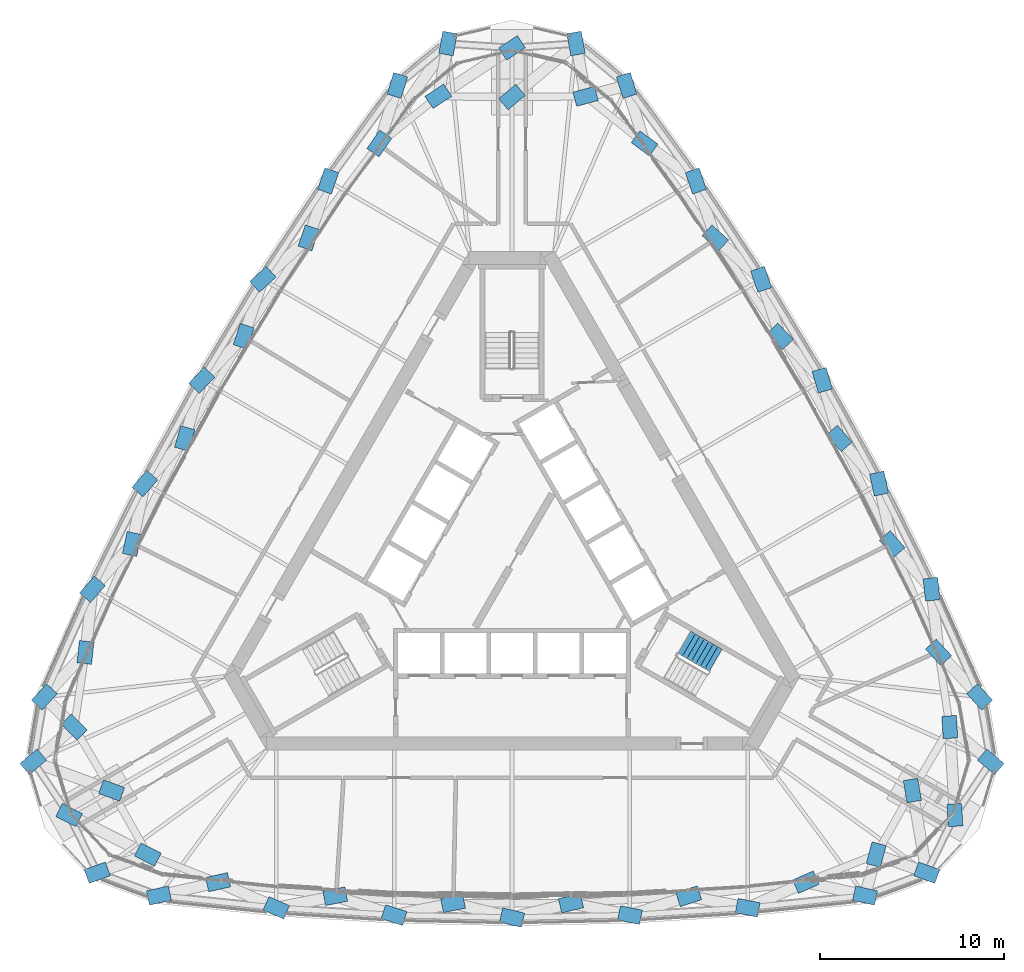
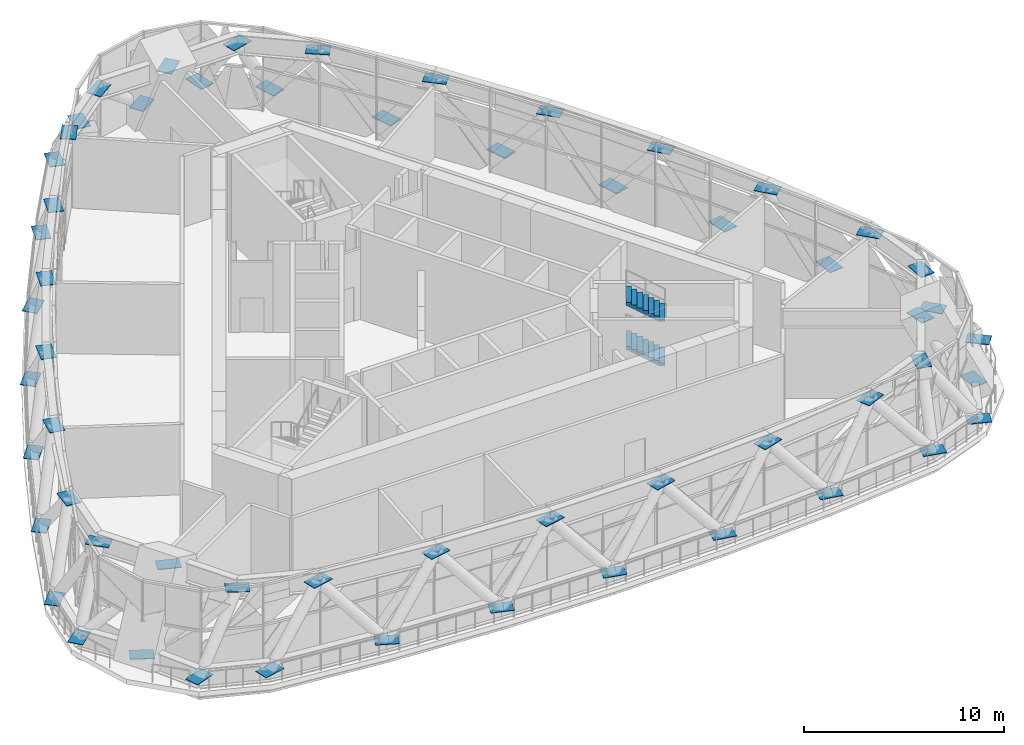
# One storey, part 24 of 33: 57 discrete accessories, 2 stair flights, 1 element without a shape of its own.
"""IFC4 building model written with IfcOpenShell, lengths in metres."""

import ifcopenshell
import ifcopenshell.guid

model = None  # the IFC model being written
_history = None  # IfcOwnerHistory: only IFC2X3 demands one
_inside = {}  # id of a spatial element -> (the spatial element, [elements in it])
_under = {}  # id of a project, library or spatial element -> (it, [spatial elements below it])
_declared = {}  # id of a project -> (the project, [libraries it declares])
_typed = {}  # id of a type object -> (the type object, [elements of that type])
_made_of = {}  # id of a material, layer set ... -> (it, [elements and type objects made of it])


def new_model(schema):
    """Start an empty IFC model of exactly this schema.

    Asked for "IFC4X3", IfcOpenShell would pick the latest addendum, in which some entities
    have other attributes; the version numbers below select the first issue.
    IFC2X3 requires an IfcOwnerHistory on every rooted entity: one is made here for all.
    """
    global model, _history
    if schema == "IFC4X3":
        model = ifcopenshell.file(schema_version=(4, 3, 0, 0))
    else:
        model = ifcopenshell.file(schema=schema)
    _inside.clear()
    _under.clear()
    _declared.clear()
    _typed.clear()
    _made_of.clear()
    _history = None
    if model.schema == "IFC2X3":
        org = make("IfcOrganization", Name="unknown")
        user = make(
            "IfcPersonAndOrganization",
            ThePerson=make("IfcPerson", FamilyName="unknown"),
            TheOrganization=org,
        )
        app = make(
            "IfcApplication",
            ApplicationDeveloper=org,
            Version="unknown",
            ApplicationFullName="unknown",
            ApplicationIdentifier="unknown",
        )
        _history = make(
            "IfcOwnerHistory",
            OwningUser=user,
            OwningApplication=app,
            ChangeAction="ADDED",
            CreationDate=0,
        )
    return model


def make(cls, **values):
    """One entity of the class cls with the attributes given. An attribute that is None is left unset."""
    return model.create_entity(
        cls, **{name: value for name, value in values.items() if value is not None}
    )


def rooted(cls, **values):
    """An entity with a GlobalId (a new one), such as an element, a storey or a relation."""
    return make(cls, GlobalId=ifcopenshell.guid.new(), OwnerHistory=_history, **values)


def si_unit(unit_type, name, prefix=None):
    """IfcSIUnit, for example si_unit("LENGTHUNIT", "METRE", prefix="MILLI")."""
    return make("IfcSIUnit", UnitType=unit_type, Prefix=prefix, Name=name)


def assignment(units):
    """IfcUnitAssignment: the units of a project."""
    return None if units is None else make("IfcUnitAssignment", Units=units)


def point(xyz):
    """IfcCartesianPoint."""
    return None if xyz is None else make("IfcCartesianPoint", Coordinates=xyz)


def direction(xyz):
    """IfcDirection."""
    return None if xyz is None else make("IfcDirection", DirectionRatios=xyz)


def frame(location, z_axis=None, x_axis=None):
    """IfcAxis2Placement3D, a coordinate frame: its origin and axes. An axis left out is left unset."""
    return make(
        "IfcAxis2Placement3D",
        Location=point(location),
        Axis=direction(z_axis),
        RefDirection=direction(x_axis),
    )


def origin():
    """The frame at (0, 0, 0) with its axes left unset."""
    return frame((0.0, 0.0, 0.0))


def place(relative_to, where):
    """IfcLocalPlacement: puts the frame where relative to a parent placement (None: the world)."""
    return make(
        "IfcLocalPlacement", PlacementRelTo=relative_to, RelativePlacement=where
    )


def context(
    kind, dimensions, precision=None, world=None, true_north=None, identifier=None
):
    """IfcGeometricRepresentationContext, for example the 3D "Model" context."""
    return make(
        "IfcGeometricRepresentationContext",
        ContextIdentifier=identifier,
        ContextType=kind,
        CoordinateSpaceDimension=dimensions,
        Precision=precision,
        WorldCoordinateSystem=world,
        TrueNorth=true_north,
    )


def subcontext(parent, identifier, kind, view, scale=None):
    """IfcGeometricRepresentationSubContext, for example "Body" below "Model"."""
    return make(
        "IfcGeometricRepresentationSubContext",
        ContextIdentifier=identifier,
        ContextType=kind,
        ParentContext=parent,
        TargetScale=scale,
        TargetView=view,
    )


def project(units=None, contexts=None):
    """IfcProject with its units and contexts."""
    return rooted(
        "IfcProject",
        Name="project",
        RepresentationContexts=contexts,
        UnitsInContext=assignment(units),
    )


def spatial(cls, under=None, at=None, **own):
    """A site, building, storey or space (cls), placed at a placement, below another one or the project."""
    s = rooted(cls, ObjectPlacement=at, **own)
    if under is not None:
        _under.setdefault(under.id(), (under, []))[1].append(s)
    return s


def polyline(points):
    """IfcPolyline through the points."""
    return make("IfcPolyline", Points=[point(p) for p in points])


def outline(outer, holes=None, kind="AREA"):
    """IfcArbitraryClosedProfileDef: a profile drawn as a closed curve; with holes, ...WithVoids."""
    if holes is None:
        return make("IfcArbitraryClosedProfileDef", ProfileType=kind, OuterCurve=outer)
    return make(
        "IfcArbitraryProfileDefWithVoids",
        ProfileType=kind,
        OuterCurve=outer,
        InnerCurves=holes,
    )


def extrude(swept, where, along, depth):
    """IfcExtrudedAreaSolid: the profile swept, set in the frame where, extruded along a direction by depth."""
    return make(
        "IfcExtrudedAreaSolid",
        SweptArea=swept,
        Position=where,
        ExtrudedDirection=direction(along),
        Depth=depth,
    )


def shape(context_of_items, identifier, shape_type, items):
    """IfcShapeRepresentation: the items that make up one representation, for example the "Body"."""
    return make(
        "IfcShapeRepresentation",
        ContextOfItems=context_of_items,
        RepresentationIdentifier=identifier,
        RepresentationType=shape_type,
        Items=items,
    )


def material(Name=None, Category=None):
    """IfcMaterial."""
    return make("IfcMaterial", Name=Name, Category=Category)


def layer(
    of_material, thickness, ventilated=None, Name=None, Category=None, Priority=None
):
    """IfcMaterialLayer: one layer of a wall or slab, of a material (None: an air gap)."""
    return make(
        "IfcMaterialLayer",
        Material=of_material,
        LayerThickness=thickness,
        IsVentilated=ventilated,
        Name=Name,
        Category=Category,
        Priority=Priority,
    )


def layer_set(layers, Name=None):
    """IfcMaterialLayerSet."""
    return make("IfcMaterialLayerSet", MaterialLayers=layers, LayerSetName=Name)


def made_of(thing, what):
    """Note that an element or type object is made of a material, layer set ...; save() writes the relation."""
    if what is not None:
        _made_of.setdefault(what.id(), (what, []))[1].append(thing)
    return thing


def type_object(cls, material=None, **own):
    """A type object (cls), such as IfcWallType, which elements share."""
    return made_of(rooted(cls, **own), material)


def element(
    cls,
    number,
    at=None,
    inside=None,
    cuts=None,
    type_object=None,
    material=None,
    context=None,
    identifier="Body",
    shape_type=None,
    held_by="IfcProductDefinitionShape",
    body=None,
    shapes=None,
    **own,
):
    """One element of the class cls, such as IfcWall. Its Tag is "e" and its number.

    at: its placement. inside: the storey or other place that contains it. cuts: it is an
    opening in that element (IfcRelVoidsElement). A single representation is given by context,
    identifier, shape_type and body (its items); several are given by shapes. held_by: the class
    of the entity that holds the representations. save() writes the other relations.
    """
    e = rooted(cls, Tag="e%d" % number, ObjectPlacement=at, **own)
    if body is not None:
        shapes = [shape(context, identifier, shape_type, body)]
    if shapes is not None:
        e.Representation = make(held_by, Representations=shapes)
    if inside is not None:
        _inside.setdefault(inside.id(), (inside, []))[1].append(e)
    if cuts is not None:
        rooted(
            "IfcRelVoidsElement", RelatingBuildingElement=cuts, RelatedOpeningElement=e
        )
    if type_object is not None:
        _typed.setdefault(type_object.id(), (type_object, []))[1].append(e)
    return made_of(e, material)


def aggregate(whole, parts):
    """IfcRelAggregates: a whole, such as a stair, and the parts it consists of."""
    return rooted("IfcRelAggregates", RelatingObject=whole, RelatedObjects=parts)


def save(model, path):
    """Write the relations noted so far, then the file.

    IfcRelAggregates (storeys below a building ...), IfcRelContainedInSpatialStructure (elements
    in a storey), IfcRelDefinesByType, IfcRelAssociatesMaterial and IfcRelDeclares: one each for
    every whole, place, type object, material and project.
    """
    for whole, parts in _under.values():
        aggregate(whole, parts)
    for where, things in _inside.values():
        rooted(
            "IfcRelContainedInSpatialStructure",
            RelatedElements=things,
            RelatingStructure=where,
        )
    for kind, things in _typed.values():
        rooted("IfcRelDefinesByType", RelatedObjects=things, RelatingType=kind)
    for what, things in _made_of.values():
        rooted("IfcRelAssociatesMaterial", RelatedObjects=things, RelatingMaterial=what)
    for by, libraries in _declared.values():
        rooted("IfcRelDeclares", RelatingContext=by, RelatedDefinitions=libraries)
    model.write(path)


model = new_model("IFC4")

# Units and contexts
model_context = context("Model", 3, precision=1e-05, world=origin(), true_north=direction((0.0, 1.0)))
body_context = subcontext(model_context, "Body", "Model", "MODEL_VIEW")
ifc_project = project(units=[si_unit("LENGTHUNIT", "METRE"), si_unit("AREAUNIT", "SQUARE_METRE"), si_unit("VOLUMEUNIT", "CUBIC_METRE"), si_unit("PLANEANGLEUNIT", "RADIAN"), si_unit("MASSUNIT", "GRAM", prefix="KILO")], contexts=[model_context])

# Site, building, storey
site_placement = place(None, origin())
site = spatial("IfcSite", under=ifc_project, at=site_placement, CompositionType="ELEMENT")
building_placement = place(site_placement, origin())
building = spatial("IfcBuilding", under=site, at=building_placement, Name="Mestral Congress Tower", CompositionType="ELEMENT")
storey_placement = place(building_placement, frame((0.0, 0.0, 256.199951171875)))
storey = spatial("IfcBuildingStorey", under=building, at=storey_placement, Name="L60", CompositionType="ELEMENT", Elevation=256.199951171875)

# Stair, stair flights
ifc_material_1 = material(Name="Concrete C60/75", Category="concrete")
stair_type = type_object("IfcStairType", Name="Exit stair 1400", PredefinedType="HALF_TURN_STAIR", material=ifc_material_1)
stair_placement = place(storey_placement, origin())
stair = element("IfcStair", 1, at=stair_placement, inside=storey, type_object=stair_type, Name="L60 ST1", PredefinedType="HALF_TURN_STAIR")
stair_flight_type = type_object("IfcStairFlightType", Name="Exit stair flight 1400", PredefinedType="STRAIGHT", material=ifc_material_1)
stair_flight_1_placement = place(storey_placement, frame((11.04833984375, -5.48388671875, 1.35009765625), z_axis=(0.0, 0.0, 1.0), x_axis=(-0.866025403784, 0.5, 0.0)))
stair_flight_1 = element("IfcStairFlight", 2, at=stair_flight_1_placement, type_object=stair_flight_type, Name="ST1 flight 2", NumberOfRisers=8, NumberOfTreads=7, PredefinedType="STRAIGHT", RiserHeight=0.16875, TreadLength=0.28, context=body_context, shape_type="SweptSolid", body=[
    extrude(outline(polyline([(0.0, 0.0), (0.0, 0.168701171875), (0.280029296875, 0.168701171875), (0.280029296875, 0.33740234375), (0.56005859375, 0.33740234375), (0.56005859375, 0.50634765625), (0.840087890625, 0.50634765625), (0.840087890625, 0.675048828125), (1.1201171875, 0.675048828125), (1.1201171875, 0.84375), (1.39990234375, 0.84375), (1.39990234375, 1.012451171875), (1.679931640625, 1.012451171875), (1.679931640625, 1.18115234375), (1.9599609375, 1.18115234375), (1.9599609375, 1.35009765625), (1.9599609375, 1.00634765625), (0.29052734375, 0.0), (0.0, 0.0)])), frame((0.0, 0.699951171875, 0.0), z_axis=(0.0, -1.0, 0.0), x_axis=(1.0, 0.0, 0.0)), (0.0, 0.0, 1.0), 0.700927734375),
    extrude(outline(polyline([(0.0, 0.0), (0.0, 0.168701171875), (0.280029296875, 0.168701171875), (0.280029296875, 0.33740234375), (0.56005859375, 0.33740234375), (0.56005859375, 0.50634765625), (0.840087890625, 0.50634765625), (0.840087890625, 0.675048828125), (1.1201171875, 0.675048828125), (1.1201171875, 0.84375), (1.39990234375, 0.84375), (1.39990234375, 1.012451171875), (1.679931640625, 1.012451171875), (1.679931640625, 1.18115234375), (1.9599609375, 1.18115234375), (1.9599609375, 1.35009765625), (1.9599609375, 1.00634765625), (0.29052734375, 0.0), (0.0, 0.0)])), frame((0.0, 0.0009765625, 0.0), z_axis=(0.0, -1.0, 0.0), x_axis=(1.0, 0.0, 0.0)), (0.0, 0.0, 1.0), 0.700927734375),
])
stair_flight_2_placement = place(storey_placement, frame((11.04833984375, -5.48388671875, 4.050048828125), z_axis=(0.0, 0.0, 1.0), x_axis=(-0.866025403784, 0.5, 0.0)))
stair_flight_2 = element("IfcStairFlight", 3, at=stair_flight_2_placement, type_object=stair_flight_type, Name="ST1 flight 4", NumberOfRisers=8, NumberOfTreads=7, PredefinedType="STRAIGHT", RiserHeight=0.16875, TreadLength=0.28, context=body_context, shape_type="SweptSolid", body=[
    extrude(outline(polyline([(0.0, 0.0), (0.0, 0.168701171875), (0.280029296875, 0.168701171875), (0.280029296875, 0.33740234375), (0.56005859375, 0.33740234375), (0.56005859375, 0.50634765625), (0.840087890625, 0.50634765625), (0.840087890625, 0.675048828125), (1.1201171875, 0.675048828125), (1.1201171875, 0.84375), (1.39990234375, 0.84375), (1.39990234375, 1.012451171875), (1.679931640625, 1.012451171875), (1.679931640625, 1.18115234375), (1.9599609375, 1.18115234375), (1.9599609375, 1.35009765625), (1.9599609375, 1.00634765625), (0.29052734375, 0.0), (0.0, 0.0)])), frame((0.0, 0.699951171875, 0.0), z_axis=(0.0, -1.0, 0.0), x_axis=(1.0, 0.0, 0.0)), (0.0, 0.0, 1.0), 0.700927734375),
    extrude(outline(polyline([(0.0, 0.0), (0.0, 0.168701171875), (0.280029296875, 0.168701171875), (0.280029296875, 0.33740234375), (0.56005859375, 0.33740234375), (0.56005859375, 0.50634765625), (0.840087890625, 0.50634765625), (0.840087890625, 0.675048828125), (1.1201171875, 0.675048828125), (1.1201171875, 0.84375), (1.39990234375, 0.84375), (1.39990234375, 1.012451171875), (1.679931640625, 1.012451171875), (1.679931640625, 1.18115234375), (1.9599609375, 1.18115234375), (1.9599609375, 1.35009765625), (1.9599609375, 1.00634765625), (0.29052734375, 0.0), (0.0, 0.0)])), frame((0.0, 0.0009765625, 0.0), z_axis=(0.0, -1.0, 0.0), x_axis=(1.0, 0.0, 0.0)), (0.0, 0.0, 1.0), 0.700927734375),
])
aggregate(stair, [stair_flight_1, stair_flight_2])

# Discrete accessories
ifc_material_2 = material(Name="Steel S355", Category="steel")
ifc_layer = layer(ifc_material_2, 0.034912109375)
ifc_layer_set = layer_set([ifc_layer], Name="Steel S355")
discrete_accessory_type = type_object("IfcDiscreteAccessoryType", Name="Brace end gusset plate 35 S355", PredefinedType="BRACKET", material=ifc_layer_set)
placement_1 = place(storey_placement, frame((0.0, 0.0, 0.58251953125)))
element("IfcDiscreteAccessory", 4, at=placement_1, inside=storey, type_object=discrete_accessory_type, Name="Brace end gusset plate 35 S355", PredefinedType="BRACKET", context=body_context, shape_type="SweptSolid", body=[
    extrude(outline(polyline([(-26.175048828125, -11.679443359375), (-25.2451171875, -10.89013671875), (-25.758056640625, -10.285400390625), (-26.688232421875, -11.074951171875), (-26.175048828125, -11.679443359375)])), origin(), (0.0, 0.0, 1.0), 0.034912109375),
])
element("IfcDiscreteAccessory", 5, at=placement_1, inside=storey, type_object=discrete_accessory_type, Name="Brace end gusset plate 35 S355", PredefinedType="BRACKET", context=body_context, shape_type="SweptSolid", body=[
    extrude(outline(polyline([(-25.491455078125, -8.183349609375), (-24.66357421875, -7.287109375), (-25.24609375, -6.749267578125), (-26.073974609375, -7.6455078125), (-25.491455078125, -8.183349609375)])), origin(), (0.0, 0.0, 1.0), 0.034912109375),
])
element("IfcDiscreteAccessory", 6, at=placement_1, inside=storey, type_object=discrete_accessory_type, Name="Brace end gusset plate 35 S355", PredefinedType="BRACKET", context=body_context, shape_type="SweptSolid", body=[
    extrude(outline(polyline([(-24.75048828125, -13.952880859375), (-23.659912109375, -14.500244140625), (-23.304443359375, -13.79150390625), (-24.394775390625, -13.244140625), (-24.75048828125, -13.952880859375)])), origin(), (0.0, 0.0, 1.0), 0.034912109375),
])
placement_2 = place(storey_placement, frame((0.0, 0.0, 4.482666015625)))
element("IfcDiscreteAccessory", 7, at=placement_2, inside=storey, type_object=discrete_accessory_type, Name="Brace end gusset plate 35 S355", PredefinedType="BRACKET", context=body_context, shape_type="SweptSolid", body=[
    extrude(outline(polyline([(-23.036865234375, -9.253173828125), (-23.896240234375, -8.38720703125), (-24.458984375, -8.94580078125), (-23.599609375, -9.811767578125), (-23.036865234375, -9.253173828125)])), origin(), (0.0, 0.0, 1.0), 0.034912109375),
])
element("IfcDiscreteAccessory", 8, at=placement_2, inside=storey, type_object=discrete_accessory_type, Name="Brace end gusset plate 35 S355", PredefinedType="BRACKET", context=body_context, shape_type="SweptSolid", body=[
    extrude(outline(polyline([(-22.80859375, -5.69873046875), (-22.675537109375, -4.486083984375), (-23.463623046875, -4.3994140625), (-23.5966796875, -5.6123046875), (-22.80859375, -5.69873046875)])), origin(), (0.0, 0.0, 1.0), 0.034912109375),
])
element("IfcDiscreteAccessory", 9, at=placement_1, inside=storey, type_object=discrete_accessory_type, Name="Brace end gusset plate 35 S355", PredefinedType="BRACKET", context=body_context, shape_type="SweptSolid", body=[
    extrude(outline(polyline([(-22.8623046875, -2.343017578125), (-22.060546875, -1.42333984375), (-22.658447265625, -0.902099609375), (-23.4599609375, -1.822021484375), (-22.8623046875, -2.343017578125)])), origin(), (0.0, 0.0, 1.0), 0.034912109375),
])
element("IfcDiscreteAccessory", 10, at=placement_1, inside=storey, type_object=discrete_accessory_type, Name="Brace end gusset plate 35 S355", PredefinedType="BRACKET", context=body_context, shape_type="SweptSolid", body=[
    extrude(outline(polyline([(-22.935302734375, -17.5751953125), (-21.78662109375, -17.164306640625), (-22.053466796875, -16.417724609375), (-23.202392578125, -16.82861328125), (-22.935302734375, -17.5751953125)])), origin(), (0.0, 0.0, 1.0), 0.034912109375),
])
element("IfcDiscreteAccessory", 11, at=placement_2, inside=storey, type_object=discrete_accessory_type, Name="Brace end gusset plate 35 S355", PredefinedType="BRACKET", context=body_context, shape_type="SweptSolid", body=[
    extrude(outline(polyline([(-21.009033203125, -12.37646484375), (-22.154541015625, -11.956787109375), (-22.427490234375, -12.701416015625), (-21.28173828125, -13.12109375), (-21.009033203125, -12.37646484375)])), origin(), (0.0, 0.0, 1.0), 0.034912109375),
])
element("IfcDiscreteAccessory", 12, at=placement_2, inside=storey, type_object=discrete_accessory_type, Name="Brace end gusset plate 35 S355", PredefinedType="BRACKET", context=body_context, shape_type="SweptSolid", body=[
    extrude(outline(polyline([(-20.3603515625, 0.154052734375), (-20.1025390625, 1.3466796875), (-20.877685546875, 1.51416015625), (-21.135498046875, 0.321533203125), (-20.3603515625, 0.154052734375)])), origin(), (0.0, 0.0, 1.0), 0.034912109375),
])
element("IfcDiscreteAccessory", 13, at=placement_1, inside=storey, type_object=discrete_accessory_type, Name="Brace end gusset plate 35 S355", PredefinedType="BRACKET", context=body_context, shape_type="SweptSolid", body=[
    extrude(outline(polyline([(-20.01708984375, 3.387939453125), (-19.210693359375, 4.3037109375), (-19.805908203125, 4.827880859375), (-20.6123046875, 3.912109375), (-20.01708984375, 3.387939453125)])), origin(), (0.0, 0.0, 1.0), 0.034912109375),
])
element("IfcDiscreteAccessory", 14, at=placement_2, inside=storey, type_object=discrete_accessory_type, Name="Brace end gusset plate 35 S355", PredefinedType="BRACKET", context=body_context, shape_type="SweptSolid", body=[
    extrude(outline(polyline([(-19.031494140625, -15.935791015625), (-20.121826171875, -15.388671875), (-20.477294921875, -16.097412109375), (-19.386962890625, -16.64453125), (-19.031494140625, -15.935791015625)])), origin(), (0.0, 0.0, 1.0), 0.034912109375),
])
element("IfcDiscreteAccessory", 15, at=placement_1, inside=storey, type_object=discrete_accessory_type, Name="Brace end gusset plate 35 S355", PredefinedType="BRACKET", context=body_context, shape_type="SweptSolid", body=[
    extrude(outline(polyline([(-19.658203125, -18.7578125), (-18.468017578125, -18.4892578125), (-18.642578125, -17.7158203125), (-19.832763671875, -17.984375), (-19.658203125, -18.7578125)])), origin(), (0.0, 0.0, 1.0), 0.034912109375),
])
element("IfcDiscreteAccessory", 16, at=placement_2, inside=storey, type_object=discrete_accessory_type, Name="Brace end gusset plate 35 S355", PredefinedType="BRACKET", context=body_context, shape_type="SweptSolid", body=[
    extrude(outline(polyline([(-17.54736328125, 5.859619140625), (-17.203369140625, 7.030029296875), (-17.964111328125, 7.253662109375), (-18.30810546875, 6.083251953125), (-17.54736328125, 5.859619140625)])), origin(), (0.0, 0.0, 1.0), 0.034912109375),
])
element("IfcDiscreteAccessory", 17, at=placement_1, inside=storey, type_object=discrete_accessory_type, Name="Brace end gusset plate 35 S355", PredefinedType="BRACKET", context=body_context, shape_type="SweptSolid", body=[
    extrude(outline(polyline([(-16.961181640625, 9.000244140625), (-16.119384765625, 9.88330078125), (-16.693603515625, 10.430419921875), (-17.535400390625, 9.54736328125), (-16.961181640625, 9.000244140625)])), origin(), (0.0, 0.0, 1.0), 0.034912109375),
])
element("IfcDiscreteAccessory", 18, at=placement_2, inside=storey, type_object=discrete_accessory_type, Name="Brace end gusset plate 35 S355", PredefinedType="BRACKET", context=body_context, shape_type="SweptSolid", body=[
    extrude(outline(polyline([(-15.43310546875, -16.99072265625), (-16.623046875, -17.259521484375), (-16.448486328125, -18.032958984375), (-15.25830078125, -17.764404296875), (-15.43310546875, -16.99072265625)])), origin(), (0.0, 0.0, 1.0), 0.034912109375),
])
element("IfcDiscreteAccessory", 19, at=placement_2, inside=storey, type_object=discrete_accessory_type, Name="Brace end gusset plate 35 S355", PredefinedType="BRACKET", context=body_context, shape_type="SweptSolid", body=[
    extrude(outline(polyline([(-14.37548828125, 11.393798828125), (-13.9853515625, 12.5498046875), (-14.73681640625, 12.80322265625), (-15.126708984375, 11.647216796875), (-14.37548828125, 11.393798828125)])), origin(), (0.0, 0.0, 1.0), 0.034912109375),
])
element("IfcDiscreteAccessory", 20, at=placement_1, inside=storey, type_object=discrete_accessory_type, Name="Brace end gusset plate 35 S355", PredefinedType="BRACKET", context=body_context, shape_type="SweptSolid", body=[
    extrude(outline(polyline([(-13.698974609375, 14.486328125), (-12.795166015625, 15.305908203125), (-13.32763671875, 15.893310546875), (-14.2314453125, 15.073974609375), (-13.698974609375, 14.486328125)])), origin(), (0.0, 0.0, 1.0), 0.034912109375),
])
element("IfcDiscreteAccessory", 21, at=placement_1, inside=storey, type_object=discrete_accessory_type, Name="Brace end gusset plate 35 S355", PredefinedType="BRACKET", context=body_context, shape_type="SweptSolid", body=[
    extrude(outline(polyline([(-12.0673828125, -18.7822265625), (-13.18408203125, -18.291259765625), (-13.50341796875, -19.01708984375), (-12.38671875, -19.50830078125), (-12.0673828125, -18.7822265625)])), origin(), (0.0, 0.0, 1.0), 0.034912109375),
])
element("IfcDiscreteAccessory", 22, at=placement_2, inside=storey, type_object=discrete_accessory_type, Name="Brace end gusset plate 35 S355", PredefinedType="BRACKET", context=body_context, shape_type="SweptSolid", body=[
    extrude(outline(polyline([(-10.854736328125, 16.73388671875), (-10.458984375, 17.887939453125), (-11.208984375, 18.145263671875), (-11.604736328125, 16.9912109375), (-10.854736328125, 16.73388671875)])), origin(), (0.0, 0.0, 1.0), 0.034912109375),
])
element("IfcDiscreteAccessory", 23, at=placement_1, inside=storey, type_object=discrete_accessory_type, Name="Brace end gusset plate 35 S355", PredefinedType="BRACKET", context=body_context, shape_type="SweptSolid", body=[
    extrude(outline(polyline([(-10.152099609375, 21.227783203125), (-10.5478515625, 20.07373046875), (-9.797607421875, 19.816650390625), (-9.402099609375, 20.970703125), (-10.152099609375, 21.227783203125)])), origin(), (0.0, 0.0, 1.0), 0.034912109375),
])
element("IfcDiscreteAccessory", 24, at=placement_2, inside=storey, type_object=discrete_accessory_type, Name="Brace end gusset plate 35 S355", PredefinedType="BRACKET", context=body_context, shape_type="SweptSolid", body=[
    extrude(outline(polyline([(-9.064697265625, -17.767333984375), (-10.261962890625, -18.001708984375), (-10.109619140625, -18.780029296875), (-8.912353515625, -18.545654296875), (-9.064697265625, -17.767333984375)])), origin(), (0.0, 0.0, 1.0), 0.034912109375),
])
element("IfcDiscreteAccessory", 25, at=placement_2, inside=storey, type_object=discrete_accessory_type, Name="Brace end gusset plate 35 S355", PredefinedType="BRACKET", context=body_context, shape_type="SweptSolid", body=[
    extrude(outline(polyline([(-7.214111328125, 21.833740234375), (-6.523193359375, 22.839111328125), (-7.1767578125, 23.288330078125), (-7.86767578125, 22.28271484375), (-7.214111328125, 21.833740234375)])), origin(), (0.0, 0.0, 1.0), 0.034912109375),
])
element("IfcDiscreteAccessory", 26, at=placement_1, inside=storey, type_object=discrete_accessory_type, Name="Brace end gusset plate 35 S355", PredefinedType="BRACKET", context=body_context, shape_type="SweptSolid", body=[
    extrude(outline(polyline([(-5.6962890625, -19.106689453125), (-6.85791015625, -18.73388671875), (-7.10009765625, -19.48876953125), (-5.938720703125, -19.86181640625), (-5.6962890625, -19.106689453125)])), origin(), (0.0, 0.0, 1.0), 0.034912109375),
])
element("IfcDiscreteAccessory", 27, at=placement_1, inside=storey, type_object=discrete_accessory_type, Name="Brace end gusset plate 35 S355", PredefinedType="BRACKET", context=body_context, shape_type="SweptSolid", body=[
    extrude(outline(polyline([(-6.416015625, 26.4033203125), (-6.778076171875, 25.23828125), (-6.02099609375, 25.0029296875), (-5.65869140625, 26.16796875), (-6.416015625, 26.4033203125)])), origin(), (0.0, 0.0, 1.0), 0.034912109375),
])
element("IfcDiscreteAccessory", 28, at=placement_2, inside=storey, type_object=discrete_accessory_type, Name="Brace end gusset plate 35 S355", PredefinedType="BRACKET", context=body_context, shape_type="SweptSolid", body=[
    extrude(outline(polyline([(-4.28515625, 24.449462890625), (-3.26611328125, 25.120361328125), (-3.701904296875, 25.78271484375), (-4.720947265625, 25.11181640625), (-4.28515625, 24.449462890625)])), origin(), (0.0, 0.0, 1.0), 0.034912109375),
])
element("IfcDiscreteAccessory", 29, at=placement_1, inside=storey, type_object=discrete_accessory_type, Name="Brace end gusset plate 35 S355", PredefinedType="BRACKET", context=body_context, shape_type="SweptSolid", body=[
    extrude(outline(polyline([(-3.7529296875, 28.650146484375), (-3.9716796875, 27.449951171875), (-3.19140625, 27.307861328125), (-2.972900390625, 28.508056640625), (-3.7529296875, 28.650146484375)])), origin(), (0.0, 0.0, 1.0), 0.034912109375),
])
element("IfcDiscreteAccessory", 30, at=placement_2, inside=storey, type_object=discrete_accessory_type, Name="Brace end gusset plate 35 S355", PredefinedType="BRACKET", context=body_context, shape_type="SweptSolid", body=[
    extrude(outline(polyline([(-2.679443359375, -18.146240234375), (-3.87548828125, -18.38671875), (-3.719482421875, -19.1640625), (-2.5234375, -18.923828125), (-2.679443359375, -18.146240234375)])), origin(), (0.0, 0.0, 1.0), 0.034912109375),
])
element("IfcDiscreteAccessory", 31, at=placement_1, inside=storey, type_object=discrete_accessory_type, Name="Brace end gusset plate 35 S355", PredefinedType="BRACKET", context=body_context, shape_type="SweptSolid", body=[
    extrude(outline(polyline([(0.686279296875, -19.18896484375), (-0.49951171875, -18.901611328125), (-0.686279296875, -19.67236328125), (0.49951171875, -19.959716796875), (0.686279296875, -19.18896484375)])), origin(), (0.0, 0.0, 1.0), 0.034912109375),
])
element("IfcDiscreteAccessory", 32, at=placement_2, inside=storey, type_object=discrete_accessory_type, Name="Brace end gusset plate 35 S355", PredefinedType="BRACKET", context=body_context, shape_type="SweptSolid", body=[
    extrude(outline(polyline([(-0.2138671875, 24.3828125), (0.722412109375, 25.164794921875), (0.2138671875, 25.7734375), (-0.722412109375, 24.9912109375), (-0.2138671875, 24.3828125)])), origin(), (0.0, 0.0, 1.0), 0.034912109375),
])
element("IfcDiscreteAccessory", 33, at=placement_1, inside=storey, type_object=discrete_accessory_type, Name="Brace end gusset plate 35 S355", PredefinedType="BRACKET", context=body_context, shape_type="SweptSolid", body=[
    extrude(outline(polyline([(0.29150390625, 28.4111328125), (-0.7275390625, 27.740234375), (-0.29150390625, 27.077880859375), (0.7275390625, 27.748779296875), (0.29150390625, 28.4111328125)])), origin(), (0.0, 0.0, 1.0), 0.034912109375),
])
element("IfcDiscreteAccessory", 34, at=placement_2, inside=storey, type_object=discrete_accessory_type, Name="Brace end gusset plate 35 S355", PredefinedType="BRACKET", context=body_context, shape_type="SweptSolid", body=[
    extrude(outline(polyline([(3.698974609375, -18.126220703125), (2.51318359375, -18.41357421875), (2.699951171875, -19.18408203125), (3.8857421875, -18.89697265625), (3.698974609375, -18.126220703125)])), origin(), (0.0, 0.0, 1.0), 0.034912109375),
])
element("IfcDiscreteAccessory", 35, at=placement_1, inside=storey, type_object=discrete_accessory_type, Name="Brace end gusset plate 35 S355", PredefinedType="BRACKET", context=body_context, shape_type="SweptSolid", body=[
    extrude(outline(polyline([(2.972900390625, 28.508056640625), (3.19140625, 27.307861328125), (3.9716796875, 27.449951171875), (3.7529296875, 28.650146484375), (2.972900390625, 28.508056640625)])), origin(), (0.0, 0.0, 1.0), 0.034912109375),
])
element("IfcDiscreteAccessory", 36, at=placement_2, inside=storey, type_object=discrete_accessory_type, Name="Brace end gusset plate 35 S355", PredefinedType="BRACKET", context=body_context, shape_type="SweptSolid", body=[
    extrude(outline(polyline([(3.5048828125, 24.5771484375), (4.6845703125, 24.888427734375), (4.482177734375, 25.655029296875), (3.302490234375, 25.34375), (3.5048828125, 24.5771484375)])), origin(), (0.0, 0.0, 1.0), 0.034912109375),
])
element("IfcDiscreteAccessory", 37, at=placement_1, inside=storey, type_object=discrete_accessory_type, Name="Brace end gusset plate 35 S355", PredefinedType="BRACKET", context=body_context, shape_type="SweptSolid", body=[
    extrude(outline(polyline([(5.65869140625, 26.16796875), (6.02099609375, 25.0029296875), (6.778076171875, 25.23828125), (6.416015625, 26.4033203125), (5.65869140625, 26.16796875)])), origin(), (0.0, 0.0, 1.0), 0.034912109375),
])
element("IfcDiscreteAccessory", 38, at=placement_1, inside=storey, type_object=discrete_accessory_type, Name="Brace end gusset plate 35 S355", PredefinedType="BRACKET", context=body_context, shape_type="SweptSolid", body=[
    extrude(outline(polyline([(7.07421875, -19.029296875), (5.878173828125, -18.788818359375), (5.72216796875, -19.56640625), (6.918212890625, -19.806640625), (7.07421875, -19.029296875)])), origin(), (0.0, 0.0, 1.0), 0.034912109375),
])
element("IfcDiscreteAccessory", 39, at=placement_2, inside=storey, type_object=discrete_accessory_type, Name="Brace end gusset plate 35 S355", PredefinedType="BRACKET", context=body_context, shape_type="SweptSolid", body=[
    extrude(outline(polyline([(6.468994140625, 22.60205078125), (7.452880859375, 21.880615234375), (7.921875, 22.52001953125), (6.93798828125, 23.241455078125), (6.468994140625, 22.60205078125)])), origin(), (0.0, 0.0, 1.0), 0.034912109375),
])
element("IfcDiscreteAccessory", 40, at=placement_2, inside=storey, type_object=discrete_accessory_type, Name="Brace end gusset plate 35 S355", PredefinedType="BRACKET", context=body_context, shape_type="SweptSolid", body=[
    extrude(outline(polyline([(10.046875, -17.709716796875), (8.88525390625, -18.082763671875), (9.127685546875, -18.837646484375), (10.289306640625, -18.464599609375), (10.046875, -17.709716796875)])), origin(), (0.0, 0.0, 1.0), 0.034912109375),
])
element("IfcDiscreteAccessory", 41, at=placement_1, inside=storey, type_object=discrete_accessory_type, Name="Brace end gusset plate 35 S355", PredefinedType="BRACKET", context=body_context, shape_type="SweptSolid", body=[
    extrude(outline(polyline([(9.402099609375, 20.970703125), (9.797607421875, 19.816650390625), (10.5478515625, 20.07373046875), (10.152099609375, 21.227783203125), (9.402099609375, 20.970703125)])), origin(), (0.0, 0.0, 1.0), 0.034912109375),
])
element("IfcDiscreteAccessory", 42, at=placement_2, inside=storey, type_object=discrete_accessory_type, Name="Brace end gusset plate 35 S355", PredefinedType="BRACKET", context=body_context, shape_type="SweptSolid", body=[
    extrude(outline(polyline([(10.313720703125, 17.5556640625), (11.217529296875, 16.736083984375), (11.75, 17.323486328125), (10.84619140625, 18.14306640625), (10.313720703125, 17.5556640625)])), origin(), (0.0, 0.0, 1.0), 0.034912109375),
])
element("IfcDiscreteAccessory", 43, at=placement_1, inside=storey, type_object=discrete_accessory_type, Name="Brace end gusset plate 35 S355", PredefinedType="BRACKET", context=body_context, shape_type="SweptSolid", body=[
    extrude(outline(polyline([(13.460205078125, -18.627685546875), (12.2626953125, -18.393310546875), (12.110595703125, -19.171630859375), (13.307861328125, -19.406005859375), (13.460205078125, -18.627685546875)])), origin(), (0.0, 0.0, 1.0), 0.034912109375),
])
element("IfcDiscreteAccessory", 44, at=placement_1, inside=storey, type_object=discrete_accessory_type, Name="Brace end gusset plate 35 S355", PredefinedType="BRACKET", context=body_context, shape_type="SweptSolid", body=[
    extrude(outline(polyline([(12.942626953125, 15.64111328125), (13.33251953125, 14.485107421875), (14.083984375, 14.738525390625), (13.694091796875, 15.89453125), (12.942626953125, 15.64111328125)])), origin(), (0.0, 0.0, 1.0), 0.034912109375),
])
element("IfcDiscreteAccessory", 45, at=placement_2, inside=storey, type_object=discrete_accessory_type, Name="Brace end gusset plate 35 S355", PredefinedType="BRACKET", context=body_context, shape_type="SweptSolid", body=[
    extrude(outline(polyline([(13.84814453125, 12.2666015625), (14.68994140625, 11.38330078125), (15.263916015625, 11.930419921875), (14.42236328125, 12.813720703125), (13.84814453125, 12.2666015625)])), origin(), (0.0, 0.0, 1.0), 0.034912109375),
])
element("IfcDiscreteAccessory", 46, at=placement_2, inside=storey, type_object=discrete_accessory_type, Name="Brace end gusset plate 35 S355", PredefinedType="BRACKET", context=body_context, shape_type="SweptSolid", body=[
    extrude(outline(polyline([(16.33935546875, -16.9033203125), (15.22265625, -17.39453125), (15.5419921875, -18.120361328125), (16.65869140625, -17.62939453125), (16.33935546875, -16.9033203125)])), origin(), (0.0, 0.0, 1.0), 0.034912109375),
])
element("IfcDiscreteAccessory", 47, at=placement_1, inside=storey, type_object=discrete_accessory_type, Name="Brace end gusset plate 35 S355", PredefinedType="BRACKET", context=body_context, shape_type="SweptSolid", body=[
    extrude(outline(polyline([(16.27490234375, 10.188720703125), (16.618896484375, 9.018310546875), (17.3798828125, 9.241943359375), (17.035888671875, 10.412353515625), (16.27490234375, 10.188720703125)])), origin(), (0.0, 0.0, 1.0), 0.034912109375),
])
element("IfcDiscreteAccessory", 48, at=placement_2, inside=storey, type_object=discrete_accessory_type, Name="Brace end gusset plate 35 S355", PredefinedType="BRACKET", context=body_context, shape_type="SweptSolid", body=[
    extrude(outline(polyline([(17.054931640625, 6.752685546875), (17.861083984375, 5.8369140625), (18.456298828125, 6.36083984375), (17.650146484375, 7.276611328125), (17.054931640625, 6.752685546875)])), origin(), (0.0, 0.0, 1.0), 0.034912109375),
])
element("IfcDiscreteAccessory", 49, at=placement_1, inside=storey, type_object=discrete_accessory_type, Name="Brace end gusset plate 35 S355", PredefinedType="BRACKET", context=body_context, shape_type="SweptSolid", body=[
    extrude(outline(polyline([(19.832763671875, -17.984375), (18.642578125, -17.7158203125), (18.468017578125, -18.4892578125), (19.658203125, -18.7578125), (19.832763671875, -17.984375)])), origin(), (0.0, 0.0, 1.0), 0.034912109375),
])
element("IfcDiscreteAccessory", 50, at=placement_2, inside=storey, type_object=discrete_accessory_type, Name="Brace end gusset plate 35 S355", PredefinedType="BRACKET", context=body_context, shape_type="SweptSolid", body=[
    extrude(outline(polyline([(19.531982421875, -15.323974609375), (19.211669921875, -16.501220703125), (19.976806640625, -16.709228515625), (20.297119140625, -15.531982421875), (19.531982421875, -15.323974609375)])), origin(), (0.0, 0.0, 1.0), 0.034912109375),
])
element("IfcDiscreteAccessory", 51, at=placement_1, inside=storey, type_object=discrete_accessory_type, Name="Brace end gusset plate 35 S355", PredefinedType="BRACKET", context=body_context, shape_type="SweptSolid", body=[
    extrude(outline(polyline([(19.39501953125, 4.620361328125), (19.65283203125, 3.427978515625), (20.427978515625, 3.595458984375), (20.170166015625, 4.787841796875), (19.39501953125, 4.620361328125)])), origin(), (0.0, 0.0, 1.0), 0.034912109375),
])
element("IfcDiscreteAccessory", 52, at=placement_2, inside=storey, type_object=discrete_accessory_type, Name="Brace end gusset plate 35 S355", PredefinedType="BRACKET", context=body_context, shape_type="SweptSolid", body=[
    extrude(outline(polyline([(19.919189453125, 1.033447265625), (20.720947265625, 0.11376953125), (21.318603515625, 0.634765625), (20.51708984375, 1.554443359375), (19.919189453125, 1.033447265625)])), origin(), (0.0, 0.0, 1.0), 0.034912109375),
])
element("IfcDiscreteAccessory", 53, at=placement_2, inside=storey, type_object=discrete_accessory_type, Name="Brace end gusset plate 35 S355", PredefinedType="BRACKET", context=body_context, shape_type="SweptSolid", body=[
    extrude(outline(polyline([(21.222900390625, -12.006103515625), (21.43212890625, -13.2080078125), (22.21337890625, -13.072021484375), (22.004150390625, -11.8701171875), (21.222900390625, -12.006103515625)])), origin(), (0.0, 0.0, 1.0), 0.034912109375),
])
element("IfcDiscreteAccessory", 54, at=placement_1, inside=storey, type_object=discrete_accessory_type, Name="Brace end gusset plate 35 S355", PredefinedType="BRACKET", context=body_context, shape_type="SweptSolid", body=[
    extrude(outline(polyline([(23.202392578125, -16.82861328125), (22.053466796875, -16.417724609375), (21.78662109375, -17.164306640625), (22.935302734375, -17.5751953125), (23.202392578125, -16.82861328125)])), origin(), (0.0, 0.0, 1.0), 0.034912109375),
])
element("IfcDiscreteAccessory", 55, at=placement_1, inside=storey, type_object=discrete_accessory_type, Name="Brace end gusset plate 35 S355", PredefinedType="BRACKET", context=body_context, shape_type="SweptSolid", body=[
    extrude(outline(polyline([(22.2998046875, -1.0595703125), (22.4326171875, -2.272216796875), (23.220947265625, -2.185791015625), (23.087890625, -0.972900390625), (22.2998046875, -1.0595703125)])), origin(), (0.0, 0.0, 1.0), 0.034912109375),
])
element("IfcDiscreteAccessory", 56, at=placement_2, inside=storey, type_object=discrete_accessory_type, Name="Brace end gusset plate 35 S355", PredefinedType="BRACKET", context=body_context, shape_type="SweptSolid", body=[
    extrude(outline(polyline([(22.430908203125, -4.8701171875), (23.2587890625, -5.76611328125), (23.84130859375, -5.228271484375), (23.013427734375, -4.33203125), (22.430908203125, -4.8701171875)])), origin(), (0.0, 0.0, 1.0), 0.034912109375),
])
element("IfcDiscreteAccessory", 57, at=placement_2, inside=storey, type_object=discrete_accessory_type, Name="Brace end gusset plate 35 S355", PredefinedType="BRACKET", context=body_context, shape_type="SweptSolid", body=[
    extrude(outline(polyline([(23.31640625, -8.513671875), (23.3876953125, -9.731689453125), (24.179443359375, -9.685302734375), (24.108154296875, -8.46728515625), (23.31640625, -8.513671875)])), origin(), (0.0, 0.0, 1.0), 0.034912109375),
])
element("IfcDiscreteAccessory", 58, at=placement_1, inside=storey, type_object=discrete_accessory_type, Name="Brace end gusset plate 35 S355", PredefinedType="BRACKET", context=body_context, shape_type="SweptSolid", body=[
    extrude(outline(polyline([(24.458984375, -14.4580078125), (24.3876953125, -13.239990234375), (23.595947265625, -13.286376953125), (23.667236328125, -14.50439453125), (24.458984375, -14.4580078125)])), origin(), (0.0, 0.0, 1.0), 0.034912109375),
])
element("IfcDiscreteAccessory", 59, at=placement_1, inside=storey, type_object=discrete_accessory_type, Name="Brace end gusset plate 35 S355", PredefinedType="BRACKET", context=body_context, shape_type="SweptSolid", body=[
    extrude(outline(polyline([(26.073974609375, -7.6455078125), (25.24609375, -6.749267578125), (24.66357421875, -7.287109375), (25.491455078125, -8.183349609375), (26.073974609375, -7.6455078125)])), origin(), (0.0, 0.0, 1.0), 0.034912109375),
])
element("IfcDiscreteAccessory", 60, at=placement_1, inside=storey, type_object=discrete_accessory_type, Name="Brace end gusset plate 35 S355", PredefinedType="BRACKET", context=body_context, shape_type="SweptSolid", body=[
    extrude(outline(polyline([(26.688232421875, -11.074951171875), (25.758056640625, -10.285400390625), (25.2451171875, -10.89013671875), (26.175048828125, -11.679443359375), (26.688232421875, -11.074951171875)])), origin(), (0.0, 0.0, 1.0), 0.034912109375),
])

save(model, "model.ifc")
